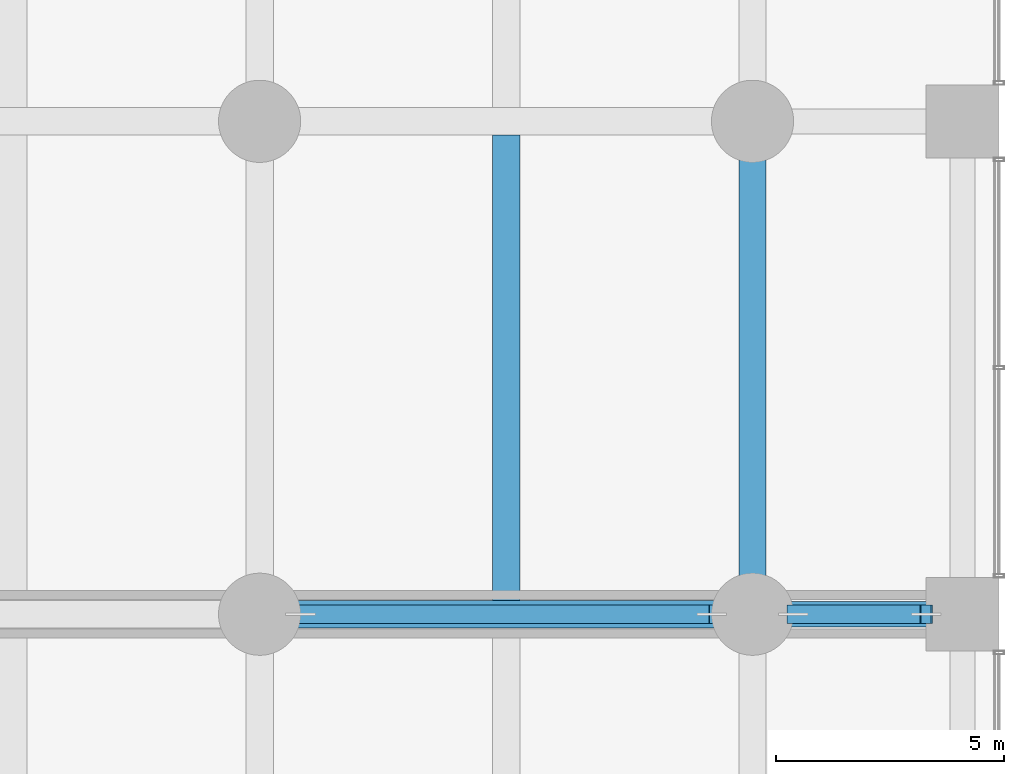
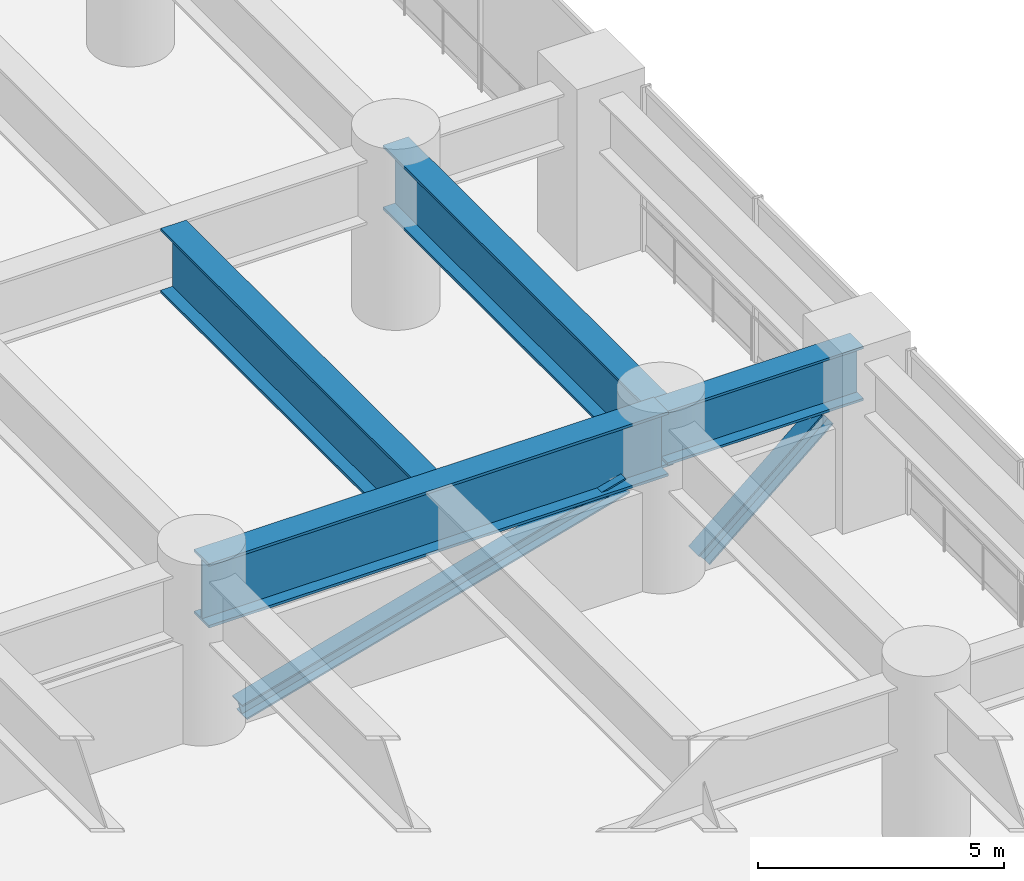
# One storey, part 21 of 37: 4 beams, 2 members.
"""IFC4 building model written with IfcOpenShell, lengths in metres."""

from ifc_helpers import new_model, si_unit, direction, frame, origin, origin_2d, place, context, subcontext, project, spatial, i_section, extrude, material, material_profile, profile_set, type_object, element, save


model = new_model("IFC4")

# Units and contexts
model_context = context("Model", 3, precision=1e-05, world=origin(), true_north=direction((0.0, 1.0)))
body_context = subcontext(model_context, "Body", "Model", "MODEL_VIEW")
ifc_project = project(units=[si_unit("LENGTHUNIT", "METRE"), si_unit("AREAUNIT", "SQUARE_METRE"), si_unit("VOLUMEUNIT", "CUBIC_METRE"), si_unit("PLANEANGLEUNIT", "RADIAN"), si_unit("MASSUNIT", "GRAM", prefix="KILO")], contexts=[model_context])

# Site, building, storey
site_placement = place(None, origin())
site = spatial("IfcSite", under=ifc_project, at=site_placement, CompositionType="ELEMENT")
building_placement = place(site_placement, origin())
building = spatial("IfcBuilding", under=site, at=building_placement, Name="Surkhivell Harbour Commons", CompositionType="ELEMENT")
storey_placement = place(building_placement, frame((0.0, 0.0, 18.0)))
storey = spatial("IfcBuildingStorey", under=building, at=storey_placement, Name="L04", CompositionType="ELEMENT", Elevation=18.0)

# Beams
ifc_material = material(Name="Steel S460", Category="steel")
ifc_material_profile_1 = material_profile(ifc_material, i_section(OverallWidth=0.550048828125, OverallDepth=1.35009765625, WebThickness=0.031982421875, FlangeThickness=0.06005859375, at=origin_2d()), Name="WPG1350x550x248")
ifc_profile_set_1 = profile_set([ifc_material_profile_1], Name="Steel S460")
beam_type_1 = type_object("IfcBeamType", Name="BM-TRF-1350", PredefinedType="BEAM", material=ifc_profile_set_1)
beam_1_placement = place(storey_placement, frame((32.39990234375, 0.0, 3.405029296875), z_axis=(1.0, 0.0, 0.0), x_axis=(0.0, 1.0, 0.0)))
element("IfcBeam", 1, at=beam_1_placement, inside=storey, type_object=beam_type_1, Name="L04 Transfer Girder (32.4,0.0)", PredefinedType="BEAM", context=body_context, shape_type="SweptSolid", body=[
    extrude(i_section(OverallWidth=0.550048828125, OverallDepth=1.35009765625, WebThickness=0.031982421875, FlangeThickness=0.06005859375, at=origin_2d()), origin(), (0.0, 0.0, 1.0), 4.60009765625),
])
ifc_material_profile_2 = material_profile(ifc_material, i_section(OverallWidth=0.60009765625, OverallDepth=1.60009765625, WebThickness=0.035888671875, FlangeThickness=0.06494140625, at=origin_2d()), Name="WPG1600x600x296")
ifc_profile_set_2 = profile_set([ifc_material_profile_2], Name="Steel S460")
beam_type_2 = type_object("IfcBeamType", Name="BM-TRF-1600", PredefinedType="BEAM", material=ifc_profile_set_2)
beam_2_placement = place(storey_placement, frame((21.60009765625, 0.0, 3.280029296875), z_axis=(1.0, 0.0, 0.0), x_axis=(0.0, 1.0, 0.0)))
element("IfcBeam", 2, at=beam_2_placement, inside=storey, type_object=beam_type_2, Name="L04 Transfer Girder (21.6,0.0)", PredefinedType="BEAM", context=body_context, shape_type="SweptSolid", body=[
    extrude(i_section(OverallWidth=0.60009765625, OverallDepth=1.60009765625, WebThickness=0.035888671875, FlangeThickness=0.06494140625, at=origin_2d()), origin(), (0.0, 0.0, 1.0), 10.7998046875),
])
beam_3_placement = place(storey_placement, frame((32.39990234375, 0.0, 3.280029296875), z_axis=(0.0, 1.0, 0.0), x_axis=(-1.0, 0.0, 0.0)))
element("IfcBeam", 3, at=beam_3_placement, inside=storey, type_object=beam_type_2, Name="L04 Transfer Girder (32.4,0.0)", PredefinedType="BEAM", context=body_context, shape_type="SweptSolid", body=[
    extrude(i_section(OverallWidth=0.60009765625, OverallDepth=1.60009765625, WebThickness=0.035888671875, FlangeThickness=0.06494140625, at=origin_2d()), origin(), (0.0, 0.0, 1.0), 10.800048828125),
])
beam_4_placement = place(storey_placement, frame((27.0, 0.298095703125, 3.280029296875), z_axis=(0.0, 1.0, 0.0), x_axis=(-1.0, 0.0, 0.0)))
element("IfcBeam", 4, at=beam_4_placement, inside=storey, type_object=beam_type_2, Name="L04 Secondary Transfer Girder (27.0,0.0)", PredefinedType="BEAM", context=body_context, shape_type="SweptSolid", body=[
    extrude(i_section(OverallWidth=0.60009765625, OverallDepth=1.60009765625, WebThickness=0.035888671875, FlangeThickness=0.06494140625, at=origin_2d()), origin(), (0.0, 0.0, 1.0), 10.203857421875),
])

# Members
ifc_material_profile_3 = material_profile(ifc_material, i_section(OverallWidth=0.406005859375, OverallDepth=0.416015625, WebThickness=0.026611328125, FlangeThickness=0.0390625, at=origin_2d()), Name="HD400x382")
ifc_profile_set_3 = profile_set([ifc_material_profile_3], Name="Steel S460")
member_type = type_object("IfcMemberType", Name="MEM-BRC-HD382", PredefinedType="BRACE", material=ifc_profile_set_3)
member_1_placement = place(storey_placement, frame((22.49609375, 0.0, 0.010009765625), z_axis=(0.963853237606, 0.0, 0.266433737271), x_axis=(0.0, 1.0, 0.0)))
element("IfcMember", 5, at=member_1_placement, inside=storey, type_object=member_type, Name="L04 Transfer Truss Diagonal TD-05", PredefinedType="BRACE", context=body_context, shape_type="SweptSolid", body=[
    extrude(i_section(OverallWidth=0.406005859375, OverallDepth=0.416015625, WebThickness=0.026611328125, FlangeThickness=0.0390625, at=origin_2d()), origin(), (0.0, 0.0, 1.0), 9.345703125),
])
member_2_placement = place(storey_placement, frame((33.2958984375, 0.0, 0.010009765625), z_axis=(0.759612092989, 0.0, 0.650376405003), x_axis=(0.0, 1.0, 0.0)))
element("IfcMember", 6, at=member_2_placement, inside=storey, type_object=member_type, Name="L04 Transfer Truss Diagonal TD-06", PredefinedType="BRACE", context=body_context, shape_type="SweptSolid", body=[
    extrude(i_section(OverallWidth=0.406005859375, OverallDepth=0.416015625, WebThickness=0.026611328125, FlangeThickness=0.0390625, at=origin_2d()), origin(), (0.0, 0.0, 1.0), 3.82861328125),
])

save(model, "model.ifc")
